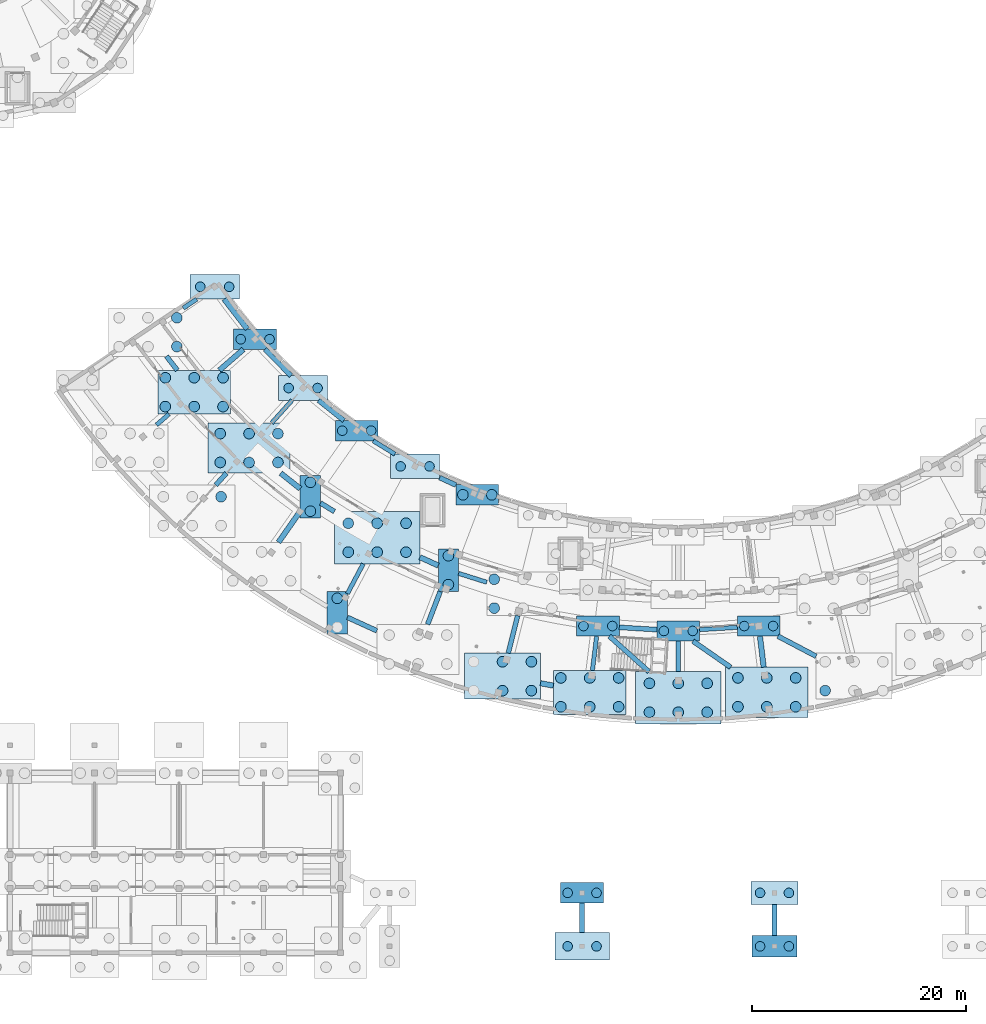
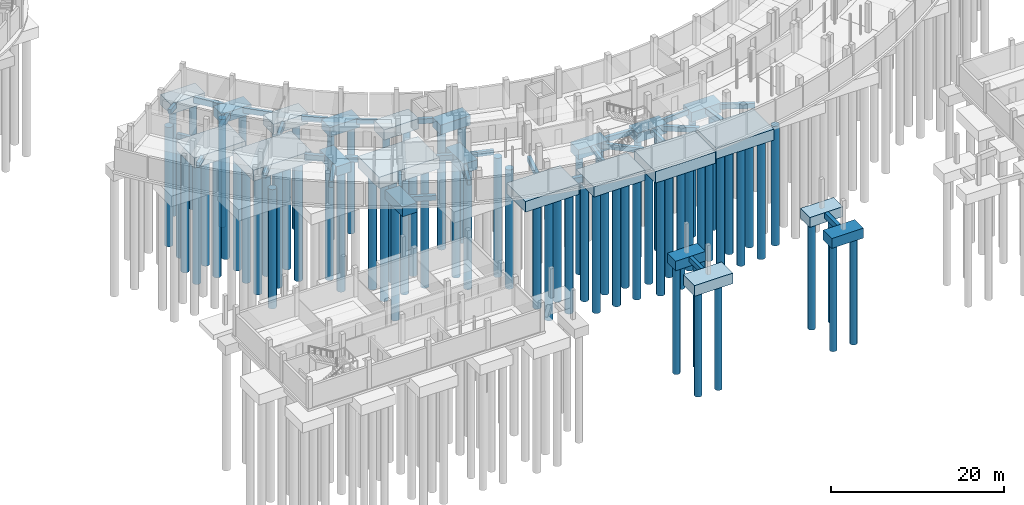
# One storey, part 2 of 58: 77 piles, 54 footings.
"""IFC4 building model written with IfcOpenShell, lengths in metres."""

from ifc_helpers import new_model, si_unit, direction, frame, origin, origin_2d, place, context, subcontext, project, spatial, rectangle, circle, extrude, material, material_profile, profile_set, type_object, element, save


model = new_model("IFC4")

# Units and contexts
model_context = context("Model", 3, precision=1e-05, world=origin(), true_north=direction((0.0, 1.0)))
body_context = subcontext(model_context, "Body", "Model", "MODEL_VIEW")
ifc_project = project(units=[si_unit("LENGTHUNIT", "METRE"), si_unit("AREAUNIT", "SQUARE_METRE"), si_unit("VOLUMEUNIT", "CUBIC_METRE"), si_unit("PLANEANGLEUNIT", "RADIAN"), si_unit("MASSUNIT", "GRAM", prefix="KILO")], contexts=[model_context])

# Site, building, storey
site_placement = place(None, origin())
site = spatial("IfcSite", under=ifc_project, at=site_placement, CompositionType="ELEMENT")
building_placement = place(site_placement, origin())
building = spatial("IfcBuilding", under=site, at=building_placement, Name="Caldaven Crescent School", CompositionType="ELEMENT")
storey_placement = place(building_placement, frame((0.0, 0.0, -4.080078125)))
storey = spatial("IfcBuildingStorey", under=building, at=storey_placement, Name="B1", CompositionType="ELEMENT", Elevation=-4.080078125)

# Footings
ifc_material_1 = material(Name="Concrete C30/37", Category="concrete")
ifc_material_profile_1 = material_profile(ifc_material_1, rectangle(XDim=0.449951171875, YDim=0.699951171875, at=origin_2d()), Name="FB 450x700")
ifc_profile_set_1 = profile_set([ifc_material_profile_1], Name="Concrete C30/37")
footing_type_1 = type_object("IfcFootingType", Name="FTG-FB1", PredefinedType="FOOTING_BEAM", material=ifc_profile_set_1)
footing_1_placement = place(storey_placement, frame((40.12939453125, 59.994873046875, -0.64990234375), z_axis=(0.610424801007, -0.792074215156, 0.0), x_axis=(0.792074215156, 0.610424801007, 0.0)))
element("IfcFooting", 1, at=footing_1_placement, inside=storey, type_object=footing_type_1, Name="FB-130", PredefinedType="FOOTING_BEAM", context=body_context, shape_type="SweptSolid", body=[
    extrude(rectangle(XDim=0.449951171875, YDim=0.699951171875, at=origin_2d()), origin(), (0.0, 0.0, 1.0), 1.65185546875),
])
footing_2_placement = place(storey_placement, frame((49.34912109375, 60.6396484375, -0.64990234375), z_axis=(0.700904911711, -0.713254726406, 0.0), x_axis=(0.713254726406, 0.700904911711, 0.0)))
element("IfcFooting", 2, at=footing_2_placement, inside=storey, type_object=footing_type_1, Name="FB-133", PredefinedType="FOOTING_BEAM", context=body_context, shape_type="SweptSolid", body=[
    extrude(rectangle(XDim=0.449951171875, YDim=0.699951171875, at=origin_2d()), origin(), (0.0, 0.0, 1.0), 3.45947265625),
])
footing_3_placement = place(storey_placement, frame((54.349853515625, 55.8720703125, -0.64990234375), z_axis=(0.782634056668, -0.622482074717, 0.0), x_axis=(0.622482074717, 0.782634056668, 0.0)))
element("IfcFooting", 3, at=footing_3_placement, inside=storey, type_object=footing_type_1, Name="FB-136", PredefinedType="FOOTING_BEAM", context=body_context, shape_type="SweptSolid", body=[
    extrude(rectangle(XDim=0.449951171875, YDim=0.699951171875, at=origin_2d()), origin(), (0.0, 0.0, 1.0), 3.030517578125),
])
footing_4_placement = place(storey_placement, frame((44.738525390625, 47.953369140625, -0.64990234375), z_axis=(0.669127571839, 0.74314755776, 0.0), x_axis=(-0.74314755776, 0.669127571839, 0.0)))
element("IfcFooting", 4, at=footing_4_placement, inside=storey, type_object=footing_type_1, Name="FB-139", PredefinedType="FOOTING_BEAM", context=body_context, shape_type="SweptSolid", body=[
    extrude(rectangle(XDim=0.449951171875, YDim=0.699951171875, at=origin_2d()), origin(), (0.0, 0.0, 1.0), 1.49072265625),
])
footing_5_placement = place(storey_placement, frame((54.535400390625, 46.268798828125, -0.64990234375), z_axis=(0.852631206635, -0.522513182103, 0.0), x_axis=(0.522513182103, 0.852631206635, 0.0)))
element("IfcFooting", 5, at=footing_5_placement, inside=storey, type_object=footing_type_1, Name="FB-142", PredefinedType="FOOTING_BEAM", context=body_context, shape_type="SweptSolid", body=[
    extrude(rectangle(XDim=0.449951171875, YDim=0.699951171875, at=origin_2d()), origin(), (0.0, 0.0, 1.0), 1.522705078125),
])
footing_6_placement = place(storey_placement, frame((65.67626953125, 48.641845703125, -0.64990234375), z_axis=(0.910012565426, -0.414580668589, 0.0), x_axis=(0.414580668589, 0.910012565426, 0.0)))
element("IfcFooting", 6, at=footing_6_placement, inside=storey, type_object=footing_type_1, Name="FB-145", PredefinedType="FOOTING_BEAM", context=body_context, shape_type="SweptSolid", body=[
    extrude(rectangle(XDim=0.449951171875, YDim=0.699951171875, at=origin_2d()), origin(), (0.0, 0.0, 1.0), 1.678955078125),
])
footing_7_placement = place(storey_placement, frame((57.04931640625, 35.571044921875, -0.64990234375), z_axis=(0.910045276169, -0.414508860366, 0.0), x_axis=(0.414508860366, 0.910045276169, 0.0)))
element("IfcFooting", 7, at=footing_7_placement, inside=storey, type_object=footing_type_1, Name="FB-148", PredefinedType="FOOTING_BEAM", context=body_context, shape_type="SweptSolid", body=[
    extrude(rectangle(XDim=0.449951171875, YDim=0.699951171875, at=origin_2d()), origin(), (0.0, 0.0, 1.0), 3.022216796875),
])
footing_8_placement = place(storey_placement, frame((64.551513671875, 34.914794921875, -0.64990234375), z_axis=(0.358382352238, 0.933574897694, 0.0), x_axis=(-0.933574897694, 0.358382352238, 0.0)))
element("IfcFooting", 8, at=footing_8_placement, inside=storey, type_object=footing_type_1, Name="FB-151", PredefinedType="FOOTING_BEAM", context=body_context, shape_type="SweptSolid", body=[
    extrude(rectangle(XDim=0.449951171875, YDim=0.699951171875, at=origin_2d()), origin(), (0.0, 0.0, 1.0), 3.290283203125),
])
footing_9_placement = place(storey_placement, frame((72.097412109375, 32.218505859375, -0.64990234375), z_axis=(0.241948682698, 0.970289047109, 0.0), x_axis=(-0.970289047109, 0.241948682698, 0.0)))
element("IfcFooting", 9, at=footing_9_placement, inside=storey, type_object=footing_type_1, Name="FB-154", PredefinedType="FOOTING_BEAM", context=body_context, shape_type="SweptSolid", body=[
    extrude(rectangle(XDim=0.449951171875, YDim=0.699951171875, at=origin_2d()), origin(), (0.0, 0.0, 1.0), 3.62158203125),
])
footing_10_placement = place(storey_placement, frame((82.480712890625, 34.6376953125, -0.64990234375), z_axis=(0.998133360085, -0.061072051585, 0.0), x_axis=(0.061072051585, 0.998133360085, 0.0)))
element("IfcFooting", 10, at=footing_10_placement, inside=storey, type_object=footing_type_1, Name="FB-160", PredefinedType="FOOTING_BEAM", context=body_context, shape_type="SweptSolid", body=[
    extrude(rectangle(XDim=0.449951171875, YDim=0.699951171875, at=origin_2d()), origin(), (0.0, 0.0, 1.0), 3.52587890625),
])
footing_11_placement = place(storey_placement, frame((85.25439453125, 30.5, -0.64990234375), z_axis=(-0.746115401684, 0.665816646961, 0.0), x_axis=(-0.665816646961, -0.746115401684, 0.0)))
element("IfcFooting", 11, at=footing_11_placement, inside=storey, type_object=footing_type_1, Name="FB-163", PredefinedType="FOOTING_BEAM", context=body_context, shape_type="SweptSolid", body=[
    extrude(rectangle(XDim=0.449951171875, YDim=0.699951171875, at=origin_2d()), origin(), (0.0, 0.0, 1.0), 4.970947265625),
])
footing_12_placement = place(storey_placement, frame((92.892822265625, 30.906494140625, -0.64990234375), z_axis=(-0.821704026018, 0.569914461674, 0.0), x_axis=(-0.569914461674, -0.821704026018, 0.0)))
element("IfcFooting", 12, at=footing_12_placement, inside=storey, type_object=footing_type_1, Name="FB-169", PredefinedType="FOOTING_BEAM", context=body_context, shape_type="SweptSolid", body=[
    extrude(rectangle(XDim=0.449951171875, YDim=0.699951171875, at=origin_2d()), origin(), (0.0, 0.0, 1.0), 4.28759765625),
])
footing_13_placement = place(storey_placement, frame((100.888671875, 31.935791015625, -0.64990234375), z_axis=(-0.885057617913, 0.465481485104, 0.0), x_axis=(-0.465481485104, -0.885057617913, 0.0)))
element("IfcFooting", 13, at=footing_13_placement, inside=storey, type_object=footing_type_1, Name="FB-175", PredefinedType="FOOTING_BEAM", context=body_context, shape_type="SweptSolid", body=[
    extrude(rectangle(XDim=0.449951171875, YDim=0.699951171875, at=origin_2d()), origin(), (0.0, 0.0, 1.0), 4.02587890625),
])
footing_14_placement = place(storey_placement, frame((79.0, 6.10009765625, -0.64990234375), z_axis=(0.0, 1.0, 0.0), x_axis=(-1.0, 0.0, 0.0)))
element("IfcFooting", 14, at=footing_14_placement, inside=storey, type_object=footing_type_1, Name="FB-199", PredefinedType="FOOTING_BEAM", context=body_context, shape_type="SweptSolid", body=[
    extrude(rectangle(XDim=0.449951171875, YDim=0.699951171875, at=origin_2d()), origin(), (0.0, 0.0, 1.0), 2.75),
])
ifc_material_profile_2 = material_profile(ifc_material_1, rectangle(XDim=0.5, YDim=0.800048828125, at=origin_2d()), Name="FB 500x800")
ifc_profile_set_2 = profile_set([ifc_material_profile_2], Name="Concrete C30/37")
footing_type_2 = type_object("IfcFootingType", Name="FTG-FB2", PredefinedType="FOOTING_BEAM", material=ifc_profile_set_2)
footing_15_placement = place(storey_placement, frame((45.523681640625, 65.34228515625, -0.699951171875), z_axis=(0.610404152733, -0.792090127654, 0.0), x_axis=(0.792090127654, 0.610404152733, 0.0)))
element("IfcFooting", 15, at=footing_15_placement, inside=storey, type_object=footing_type_2, Name="FB-128", PredefinedType="FOOTING_BEAM", context=body_context, shape_type="SweptSolid", body=[
    extrude(rectangle(XDim=0.5, YDim=0.800048828125, at=origin_2d()), origin(), (0.0, 0.0, 1.0), 3.5380859375),
])
footing_16_placement = place(storey_placement, frame((45.07568359375, 58.6865234375, -0.699951171875), z_axis=(0.75471144186, 0.656056887415, 0.0), x_axis=(-0.656056887415, 0.75471144186, 0.0)))
element("IfcFooting", 16, at=footing_16_placement, inside=storey, type_object=footing_type_2, Name="FB-134", PredefinedType="FOOTING_BEAM", context=body_context, shape_type="SweptSolid", body=[
    extrude(rectangle(XDim=0.5, YDim=0.800048828125, at=origin_2d()), origin(), (0.0, 0.0, 1.0), 2.97705078125),
])
footing_17_placement = place(storey_placement, frame((50.806640625, 49.061279296875, -0.699951171875), z_axis=(0.782639227727, -0.622475573194, 0.0), x_axis=(0.622475573194, 0.782639227727, 0.0)))
element("IfcFooting", 17, at=footing_17_placement, inside=storey, type_object=footing_type_2, Name="FB-137", PredefinedType="FOOTING_BEAM", context=body_context, shape_type="SweptSolid", body=[
    extrude(rectangle(XDim=0.5, YDim=0.800048828125, at=origin_2d()), origin(), (0.0, 0.0, 1.0), 2.336669921875),
])
footing_18_placement = place(storey_placement, frame((50.600830078125, 42.588623046875, -0.699951171875), z_axis=(0.573614772878, 0.819125199427, 0.0), x_axis=(-0.819125199427, 0.573614772878, 0.0)))
element("IfcFooting", 18, at=footing_18_placement, inside=storey, type_object=footing_type_2, Name="FB-143", PredefinedType="FOOTING_BEAM", context=body_context, shape_type="SweptSolid", body=[
    extrude(rectangle(XDim=0.5, YDim=0.800048828125, at=origin_2d()), origin(), (0.0, 0.0, 1.0), 3.547119140625),
])
footing_19_placement = place(storey_placement, frame((63.831787109375, 41.201171875, -0.699951171875), z_axis=(0.910020422762, -0.41456342115, 0.0), x_axis=(0.41456342115, 0.910020422762, 0.0)))
element("IfcFooting", 19, at=footing_19_placement, inside=storey, type_object=footing_type_2, Name="FB-146", PredefinedType="FOOTING_BEAM", context=body_context, shape_type="SweptSolid", body=[
    extrude(rectangle(XDim=0.5, YDim=0.800048828125, at=origin_2d()), origin(), (0.0, 0.0, 1.0), 1.88623046875),
])
footing_20_placement = place(storey_placement, frame((75.111328125, 29.410400390625, -0.699951171875), z_axis=(0.983250357751, -0.182260072379, 0.0), x_axis=(0.182260072379, 0.983250357751, 0.0)))
element("IfcFooting", 20, at=footing_20_placement, inside=storey, type_object=footing_type_2, Name="FB-155", PredefinedType="FOOTING_BEAM", context=body_context, shape_type="SweptSolid", body=[
    extrude(rectangle(XDim=0.5, YDim=0.800048828125, at=origin_2d()), origin(), (0.0, 0.0, 1.0), 1.228271484375),
])
for number, where, z_axis, x_axis, name in (
    (21, (95.635986328125, 33.809814453125, -0.699951171875), (0.121856681063, -0.992547706299, 0.0), (0.992547706299, 0.121856681063, 0.0), "FB-167"),
    (22, (97.0, 5.800048828125, -0.699951171875), (0.0, 1.0, 0.0), (-1.0, 0.0, 0.0), "FB-200"),
):
    element("IfcFooting", number, at=place(storey_placement, frame(where, z_axis=z_axis, x_axis=x_axis)), inside=storey, type_object=footing_type_2, Name=name, PredefinedType="FOOTING_BEAM", context=body_context, shape_type="SweptSolid", body=[
        extrude(rectangle(XDim=0.5, YDim=0.800048828125, at=origin_2d()), origin(), (0.0, 0.0, 1.0), 2.925048828125),
    ])
ifc_material_profile_3 = material_profile(ifc_material_1, rectangle(XDim=0.39990234375, YDim=0.64990234375, at=origin_2d()), Name="FB 400x650")
ifc_profile_set_3 = profile_set([ifc_material_profile_3], Name="Concrete C30/37")
footing_type_3 = type_object("IfcFootingType", Name="FTG-FB3", PredefinedType="FOOTING_BEAM", material=ifc_profile_set_3)
footing_21_placement = place(storey_placement, frame((42.947509765625, 65.34228515625, -0.625), z_axis=(-0.826802902119, -0.562491743092, 0.0), x_axis=(0.562491743092, -0.826802902119, 0.0)))
element("IfcFooting", 23, at=footing_21_placement, inside=storey, type_object=footing_type_3, Name="FB-129", PredefinedType="FOOTING_BEAM", context=body_context, shape_type="SweptSolid", body=[
    extrude(rectangle(XDim=0.39990234375, YDim=0.64990234375, at=origin_2d()), origin(), (0.0, 0.0, 1.0), 1.506591796875),
])
footing_22_placement = place(storey_placement, frame((39.19091796875, 53.57080078125, -0.625), z_axis=(0.754673426193, 0.656100617129, 0.0), x_axis=(-0.656100617129, 0.754673426193, 0.0)))
element("IfcFooting", 24, at=footing_22_placement, inside=storey, type_object=footing_type_3, Name="FB-135", PredefinedType="FOOTING_BEAM", context=body_context, shape_type="SweptSolid", body=[
    extrude(rectangle(XDim=0.39990234375, YDim=0.64990234375, at=origin_2d()), origin(), (0.0, 0.0, 1.0), 1.5478515625),
])
footing_23_placement = place(storey_placement, frame((49.968017578125, 53.76123046875, -0.625), z_axis=(0.669135668017, 0.743140267909, 0.0), x_axis=(-0.743140267909, 0.669135668017, 0.0)))
element("IfcFooting", 25, at=footing_23_placement, inside=storey, type_object=footing_type_3, Name="FB-138", PredefinedType="FOOTING_BEAM", context=body_context, shape_type="SweptSolid", body=[
    extrude(rectangle(XDim=0.39990234375, YDim=0.64990234375, at=origin_2d()), origin(), (0.0, 0.0, 1.0), 2.84033203125),
])
footing_24_placement = place(storey_placement, frame((59.466064453125, 52.08544921875, -0.625), z_axis=(0.852640974521, -0.522497242641, 0.0), x_axis=(0.522497242641, 0.852640974521, 0.0)))
element("IfcFooting", 26, at=footing_24_placement, inside=storey, type_object=footing_type_3, Name="FB-141", PredefinedType="FOOTING_BEAM", context=body_context, shape_type="SweptSolid", body=[
    extrude(rectangle(XDim=0.39990234375, YDim=0.64990234375, at=origin_2d()), origin(), (0.0, 0.0, 1.0), 2.384765625),
])
footing_25_placement = place(storey_placement, frame((57.04931640625, 37.790283203125, -0.625), z_axis=(0.469506341058, 0.882929100045, 0.0), x_axis=(-0.882929100045, 0.469506341058, 0.0)))
element("IfcFooting", 27, at=footing_25_placement, inside=storey, type_object=footing_type_3, Name="FB-147", PredefinedType="FOOTING_BEAM", context=body_context, shape_type="SweptSolid", body=[
    extrude(rectangle(XDim=0.39990234375, YDim=0.64990234375, at=origin_2d()), origin(), (0.0, 0.0, 1.0), 3.151611328125),
])
footing_26_placement = place(storey_placement, frame((67.448486328125, 39.686767578125, -0.625), z_axis=(0.953656049612, -0.300898885074, 0.0), x_axis=(0.300898885074, 0.953656049612, 0.0)))
element("IfcFooting", 28, at=footing_26_placement, inside=storey, type_object=footing_type_3, Name="FB-150", PredefinedType="FOOTING_BEAM", context=body_context, shape_type="SweptSolid", body=[
    extrude(rectangle(XDim=0.39990234375, YDim=0.64990234375, at=origin_2d()), origin(), (0.0, 0.0, 1.0), 2.764404296875),
])
footing_27_placement = place(storey_placement, frame((80.364013671875, 33.809814453125, -0.625), z_axis=(-0.1218651535, -0.992546666088, 0.0), x_axis=(0.992546666088, -0.1218651535, 0.0)))
element("IfcFooting", 29, at=footing_27_placement, inside=storey, type_object=footing_type_3, Name="FB-159", PredefinedType="FOOTING_BEAM", context=body_context, shape_type="SweptSolid", body=[
    extrude(rectangle(XDim=0.39990234375, YDim=0.64990234375, at=origin_2d()), origin(), (0.0, 0.0, 1.0), 3.2275390625),
])
footing_28_placement = place(storey_placement, frame((88.0, 33.35009765625, -0.625), z_axis=(0.0, -1.0, 0.0), x_axis=(1.0, 0.0, 0.0)))
element("IfcFooting", 30, at=footing_28_placement, inside=storey, type_object=footing_type_3, Name="FB-162", PredefinedType="FOOTING_BEAM", context=body_context, shape_type="SweptSolid", body=[
    extrude(rectangle(XDim=0.39990234375, YDim=0.64990234375, at=origin_2d()), origin(), (0.0, 0.0, 1.0), 2.85009765625),
])
footing_29_placement = place(storey_placement, frame((93.519287109375, 34.6376953125, -0.625), z_axis=(-0.998133360085, -0.061072051585, 0.0), x_axis=(0.061072051585, -0.998133360085, 0.0)))
element("IfcFooting", 31, at=footing_29_placement, inside=storey, type_object=footing_type_3, Name="FB-168", PredefinedType="FOOTING_BEAM", context=body_context, shape_type="SweptSolid", body=[
    extrude(rectangle(XDim=0.39990234375, YDim=0.64990234375, at=origin_2d()), origin(), (0.0, 0.0, 1.0), 3.52587890625),
])
ifc_material_2 = material(Name="Concrete C35/45", Category="concrete")
footing_type_4 = type_object("IfcFootingType", Name="FTG-PC01", PredefinedType="PILE_CAP", material=ifc_material_2)
for number, where, z_axis, x_axis, name in (
    (32, (48.41552734375, 61.589599609375, -1.64990234375), (0.0, 0.0, 1.0), (1.0, 0.0, 0.0), "PC-115"),
    (33, (57.916015625, 53.035400390625, -1.64990234375), (0.0, 0.0, 1.0), (1.0, 0.0, 0.0), "PC-121"),
    (34, (53.58544921875, 46.850830078125, -1.64990234375), (0.0, 0.0, 1.0), (0.0, 1.0, 0.0), "PC-122"),
    (35, (56.099365234375, 36.003662109375, -1.64990234375), (0.0, 0.0, 1.0), (0.0, 1.0, 0.0), "PC-126"),
    (36, (69.2041015625, 47.034912109375, -1.64990234375), (0.0, 0.0, 1.0), (1.0, 0.0, 0.0), "PC-127"),
    (37, (66.498291015625, 39.986572265625, -1.64990234375), (0.0, 0.0, 1.0), (0.0, 1.0, 0.0), "PC-128"),
    (38, (80.480712890625, 34.760009765625, -1.64990234375), (0.0, 0.0, 1.0), (1.0, 0.0, 0.0), "PC-135"),
    (39, (88.0, 34.300048828125, -1.64990234375), (0.0, 0.0, 1.0), (1.0, 0.0, 0.0), "PC-139"),
    (40, (95.519287109375, 34.760009765625, -1.64990234375), (0.0, 0.0, 1.0), (1.0, 0.0, 0.0), "PC-143"),
    (41, (79.0, 9.800048828125, -1.64990234375), (0.0, 0.0, 1.0), (1.0, 0.0, 0.0), "PC-169"),
):
    element("IfcFooting", number, at=place(storey_placement, frame(where, z_axis=z_axis, x_axis=x_axis)), inside=storey, type_object=footing_type_4, Name=name, PredefinedType="PILE_CAP", context=body_context, shape_type="SweptSolid", body=[
        extrude(rectangle(XDim=4.0, YDim=1.89990234375, at=origin_2d()), origin(), (0.0, 0.0, 1.0), 1.35009765625),
    ])
footing_type_5 = type_object("IfcFootingType", Name="FTG-PC02", PredefinedType="PILE_CAP", material=ifc_material_2)
footing_30_placement = place(storey_placement, frame((97.0, 4.800048828125, -1.699951171875), z_axis=(0.0, 0.0, 1.0), x_axis=(1.0, 0.0, 0.0)))
element("IfcFooting", 42, at=footing_30_placement, inside=storey, type_object=footing_type_5, Name="PC-170", PredefinedType="PILE_CAP", context=body_context, shape_type="SweptSolid", body=[
    extrude(rectangle(XDim=4.199951171875, YDim=2.0, at=origin_2d()), origin(), (0.0, 0.0, 1.0), 1.39990234375),
])
footing_type_6 = type_object("IfcFootingType", Name="FTG-PC03", PredefinedType="PILE_CAP", material=ifc_material_2)
footing_31_placement = place(storey_placement, frame((97.0, 9.800048828125, -1.699951171875), z_axis=(0.0, 0.0, 1.0), x_axis=(1.0, 0.0, 0.0)))
element("IfcFooting", 43, at=footing_31_placement, inside=storey, type_object=footing_type_6, Name="PC-171", PredefinedType="PILE_CAP", context=body_context, shape_type="SweptSolid", body=[
    extrude(rectangle(XDim=4.39990234375, YDim=2.14990234375, at=origin_2d()), origin(), (0.0, 0.0, 1.0), 1.39990234375),
])
footing_type_7 = type_object("IfcFootingType", Name="FTG-PC04", PredefinedType="PILE_CAP", material=ifc_material_2)
for number, where, z_axis, x_axis, name in (
    (44, (44.637451171875, 66.492431640625, -1.75), (0.0, 0.0, 1.0), (1.0, 0.0, 0.0), "PC-112"),
    (45, (52.904052734375, 57.022216796875, -1.75), (0.0, 0.0, 1.0), (1.0, 0.0, 0.0), "PC-118"),
    (46, (63.376220703125, 49.689453125, -1.75), (0.0, 0.0, 1.0), (1.0, 0.0, 0.0), "PC-124"),
):
    element("IfcFooting", number, at=place(storey_placement, frame(where, z_axis=z_axis, x_axis=x_axis)), inside=storey, type_object=footing_type_7, Name=name, PredefinedType="PILE_CAP", context=body_context, shape_type="SweptSolid", body=[
        extrude(rectangle(XDim=4.60009765625, YDim=2.300048828125, at=origin_2d()), origin(), (0.0, 0.0, 1.0), 1.449951171875),
    ])
footing_type_8 = type_object("IfcFootingType", Name="FTG-PC06", PredefinedType="PILE_CAP", material=ifc_material_2)
footing_32_placement = place(storey_placement, frame((79.0, 4.800048828125, -1.7998046875), z_axis=(0.0, 0.0, 1.0), x_axis=(1.0, 0.0, 0.0)))
element("IfcFooting", 47, at=footing_32_placement, inside=storey, type_object=footing_type_8, Name="PC-168", PredefinedType="PILE_CAP", context=body_context, shape_type="SweptSolid", body=[
    extrude(rectangle(XDim=5.10009765625, YDim=2.60009765625, at=origin_2d()), origin(), (0.0, 0.0, 1.0), 1.5),
])
footing_type_9 = type_object("IfcFootingType", Name="FTG-PC12", PredefinedType="PILE_CAP", material=ifc_material_2)
for number, where, z_axis, x_axis, name in (
    (48, (42.71728515625, 56.636474609375, -1.75), (0.0, 0.0, 1.0), (1.0, 0.0, 0.0), "PC-116"),
    (49, (79.718994140625, 28.556396484375, -1.75), (0.0, 0.0, 1.0), (1.0, 0.0, 0.0), "PC-136"),
):
    element("IfcFooting", number, at=place(storey_placement, frame(where, z_axis=z_axis, x_axis=x_axis)), inside=storey, type_object=footing_type_9, Name=name, PredefinedType="PILE_CAP", context=body_context, shape_type="SweptSolid", body=[
        extrude(rectangle(XDim=6.800048828125, YDim=4.10009765625, at=origin_2d()), origin(), (0.0, 0.0, 1.0), 1.449951171875),
    ])
footing_type_10 = type_object("IfcFootingType", Name="FTG-PC13", PredefinedType="PILE_CAP", material=ifc_material_2)
footing_33_placement = place(storey_placement, frame((71.561279296875, 30.068359375, -1.7998046875), z_axis=(0.0, 0.0, 1.0), x_axis=(1.0, 0.0, 0.0)))
element("IfcFooting", 50, at=footing_33_placement, inside=storey, type_object=footing_type_10, Name="PC-132", PredefinedType="PILE_CAP", context=body_context, shape_type="SweptSolid", body=[
    extrude(rectangle(XDim=7.10009765625, YDim=4.300048828125, at=origin_2d()), origin(), (0.0, 0.0, 1.0), 1.5),
])
footing_type_11 = type_object("IfcFootingType", Name="FTG-PC15", PredefinedType="PILE_CAP", material=ifc_material_2)
for number, where, z_axis, x_axis, name in (
    (51, (47.852294921875, 51.411376953125, -1.85009765625), (0.0, 0.0, 1.0), (1.0, 0.0, 0.0), "PC-119"),
    (52, (96.281005859375, 28.556396484375, -1.85009765625), (0.0, 0.0, 1.0), (1.0, 0.0, 0.0), "PC-144"),
):
    element("IfcFooting", number, at=place(storey_placement, frame(where, z_axis=z_axis, x_axis=x_axis)), inside=storey, type_object=footing_type_11, Name=name, PredefinedType="PILE_CAP", context=body_context, shape_type="SweptSolid", body=[
        extrude(rectangle(XDim=7.699951171875, YDim=4.699951171875, at=origin_2d()), origin(), (0.0, 0.0, 1.0), 1.550048828125),
    ])
footing_type_12 = type_object("IfcFootingType", Name="FTG-PC16", PredefinedType="PILE_CAP", material=ifc_material_2)
for number, where, z_axis, x_axis, name in (
    (53, (59.831787109375, 43.023193359375, -1.89990234375), (0.0, 0.0, 1.0), (1.0, 0.0, 0.0), "PC-125"),
    (54, (88.0, 28.050048828125, -1.89990234375), (0.0, 0.0, 1.0), (1.0, 0.0, 0.0), "PC-140"),
):
    element("IfcFooting", number, at=place(storey_placement, frame(where, z_axis=z_axis, x_axis=x_axis)), inside=storey, type_object=footing_type_12, Name=name, PredefinedType="PILE_CAP", context=body_context, shape_type="SweptSolid", body=[
        extrude(rectangle(XDim=8.0, YDim=4.89990234375, at=origin_2d()), origin(), (0.0, 0.0, 1.0), 1.60009765625),
    ])

# Piles
ifc_material_profile_4 = material_profile(ifc_material_2, circle(Radius=0.5, at=origin_2d()), Name="PILE D1000")
ifc_profile_set_4 = profile_set([ifc_material_profile_4], Name="Concrete C35/45")
pile_type_1 = type_object("IfcPileType", Name="PIL-D1000", PredefinedType="BORED", material=ifc_profile_set_4)
for number, where, z_axis, x_axis, name in (
    (55, (41.095703125, 60.894775390625, -1.75), (0.0, 0.0, -1.0), (1.0, 0.0, 0.0), "PILE-113-3"),
    (56, (41.095703125, 63.5947265625, -1.75), (0.0, 0.0, -1.0), (1.0, 0.0, 0.0), "PILE-113-6"),
    (57, (40.017333984375, 55.28662109375, -1.64990234375), (0.0, 0.0, -1.0), (1.0, 0.0, 0.0), "PILE-116-1"),
    (58, (42.71728515625, 55.28662109375, -1.64990234375), (0.0, 0.0, -1.0), (1.0, 0.0, 0.0), "PILE-116-2"),
    (59, (45.41748046875, 55.28662109375, -1.64990234375), (0.0, 0.0, -1.0), (1.0, 0.0, 0.0), "PILE-116-3"),
    (60, (40.017333984375, 57.986572265625, -1.64990234375), (0.0, 0.0, -1.0), (1.0, 0.0, 0.0), "PILE-116-4"),
    (61, (42.71728515625, 57.986572265625, -1.64990234375), (0.0, 0.0, -1.0), (1.0, 0.0, 0.0), "PILE-116-5"),
    (62, (45.41748046875, 57.986572265625, -1.64990234375), (0.0, 0.0, -1.0), (1.0, 0.0, 0.0), "PILE-116-6"),
    (63, (45.152099609375, 50.061279296875, -1.75), (0.0, 0.0, -1.0), (1.0, 0.0, 0.0), "PILE-119-1"),
    (64, (47.852294921875, 50.061279296875, -1.75), (0.0, 0.0, -1.0), (1.0, 0.0, 0.0), "PILE-119-2"),
    (65, (50.55224609375, 50.061279296875, -1.75), (0.0, 0.0, -1.0), (1.0, 0.0, 0.0), "PILE-119-3"),
    (66, (45.152099609375, 52.76123046875, -1.75), (0.0, 0.0, -1.0), (1.0, 0.0, 0.0), "PILE-119-4"),
    (67, (47.852294921875, 52.76123046875, -1.75), (0.0, 0.0, -1.0), (1.0, 0.0, 0.0), "PILE-119-5"),
    (68, (50.55224609375, 52.76123046875, -1.75), (0.0, 0.0, -1.0), (1.0, 0.0, 0.0), "PILE-119-6"),
    (69, (45.232666015625, 46.853271484375, -1.7998046875), (0.0, 0.0, -1.0), (1.0, 0.0, 0.0), "PILE-120-6"),
    (70, (53.58544921875, 45.5009765625, -1.5498046875), (0.0, 0.0, -1.0), (1.0, 0.0, 0.0), "PILE-122-1"),
    (71, (53.58544921875, 48.200927734375, -1.5498046875), (0.0, 0.0, -1.0), (1.0, 0.0, 0.0), "PILE-122-2"),
    (72, (57.131591796875, 41.673095703125, -1.7998046875), (0.0, 0.0, -1.0), (1.0, 0.0, 0.0), "PILE-125-1"),
    (73, (59.831787109375, 41.673095703125, -1.7998046875), (0.0, 0.0, -1.0), (1.0, 0.0, 0.0), "PILE-125-2"),
    (74, (62.53173828125, 41.673095703125, -1.7998046875), (0.0, 0.0, -1.0), (1.0, 0.0, 0.0), "PILE-125-3"),
    (75, (57.131591796875, 44.373046875, -1.7998046875), (0.0, 0.0, -1.0), (1.0, 0.0, 0.0), "PILE-125-4"),
    (76, (59.831787109375, 44.373046875, -1.7998046875), (0.0, 0.0, -1.0), (1.0, 0.0, 0.0), "PILE-125-5"),
    (77, (62.53173828125, 44.373046875, -1.7998046875), (0.0, 0.0, -1.0), (1.0, 0.0, 0.0), "PILE-125-6"),
    (78, (56.099365234375, 37.353759765625, -1.5498046875), (0.0, 0.0, -1.0), (1.0, 0.0, 0.0), "PILE-126-2"),
    (79, (67.85400390625, 47.034912109375, -1.5498046875), (0.0, 0.0, -1.0), (1.0, 0.0, 0.0), "PILE-127-1"),
    (80, (70.553955078125, 47.034912109375, -1.5498046875), (0.0, 0.0, -1.0), (1.0, 0.0, 0.0), "PILE-127-2"),
    (81, (66.498291015625, 38.636474609375, -1.5498046875), (0.0, 0.0, -1.0), (1.0, 0.0, 0.0), "PILE-128-1"),
    (82, (66.498291015625, 41.33642578125, -1.5498046875), (0.0, 0.0, -1.0), (1.0, 0.0, 0.0), "PILE-128-2"),
    (83, (70.78466796875, 36.432373046875, -1.64990234375), (0.0, 0.0, -1.0), (1.0, 0.0, 0.0), "PILE-131-1"),
    (84, (70.78466796875, 39.13232421875, -1.64990234375), (0.0, 0.0, -1.0), (1.0, 0.0, 0.0), "PILE-131-4"),
    (85, (71.561279296875, 28.718505859375, -1.699951171875), (0.0, 0.0, -1.0), (1.0, 0.0, 0.0), "PILE-132-2"),
    (86, (74.261474609375, 28.718505859375, -1.699951171875), (0.0, 0.0, -1.0), (1.0, 0.0, 0.0), "PILE-132-3"),
    (87, (71.561279296875, 31.41845703125, -1.699951171875), (0.0, 0.0, -1.0), (1.0, 0.0, 0.0), "PILE-132-5"),
    (88, (74.261474609375, 31.41845703125, -1.699951171875), (0.0, 0.0, -1.0), (1.0, 0.0, 0.0), "PILE-132-6"),
    (89, (77.01904296875, 27.20654296875, -1.64990234375), (0.0, 0.0, -1.0), (1.0, 0.0, 0.0), "PILE-136-1"),
    (90, (79.718994140625, 27.20654296875, -1.64990234375), (0.0, 0.0, -1.0), (1.0, 0.0, 0.0), "PILE-136-2"),
    (91, (82.4189453125, 27.20654296875, -1.64990234375), (0.0, 0.0, -1.0), (1.0, 0.0, 0.0), "PILE-136-3"),
    (92, (77.01904296875, 29.906494140625, -1.64990234375), (0.0, 0.0, -1.0), (1.0, 0.0, 0.0), "PILE-136-4"),
    (93, (79.718994140625, 29.906494140625, -1.64990234375), (0.0, 0.0, -1.0), (1.0, 0.0, 0.0), "PILE-136-5"),
    (94, (82.4189453125, 29.906494140625, -1.64990234375), (0.0, 0.0, -1.0), (1.0, 0.0, 0.0), "PILE-136-6"),
    (95, (85.300048828125, 26.699951171875, -1.7998046875), (0.0, 0.0, -1.0), (1.0, 0.0, 0.0), "PILE-140-1"),
    (96, (88.0, 26.699951171875, -1.7998046875), (0.0, 0.0, -1.0), (1.0, 0.0, 0.0), "PILE-140-2"),
    (97, (90.699951171875, 26.699951171875, -1.7998046875), (0.0, 0.0, -1.0), (1.0, 0.0, 0.0), "PILE-140-3"),
    (98, (85.300048828125, 29.39990234375, -1.7998046875), (0.0, 0.0, -1.0), (1.0, 0.0, 0.0), "PILE-140-4"),
    (99, (88.0, 29.39990234375, -1.7998046875), (0.0, 0.0, -1.0), (1.0, 0.0, 0.0), "PILE-140-5"),
    (100, (90.699951171875, 29.39990234375, -1.7998046875), (0.0, 0.0, -1.0), (1.0, 0.0, 0.0), "PILE-140-6"),
    (101, (93.5810546875, 27.20654296875, -1.75), (0.0, 0.0, -1.0), (1.0, 0.0, 0.0), "PILE-144-1"),
    (102, (96.281005859375, 27.20654296875, -1.75), (0.0, 0.0, -1.0), (1.0, 0.0, 0.0), "PILE-144-2"),
    (103, (98.98095703125, 27.20654296875, -1.75), (0.0, 0.0, -1.0), (1.0, 0.0, 0.0), "PILE-144-3"),
    (104, (93.5810546875, 29.906494140625, -1.75), (0.0, 0.0, -1.0), (1.0, 0.0, 0.0), "PILE-144-4"),
    (105, (96.281005859375, 29.906494140625, -1.75), (0.0, 0.0, -1.0), (1.0, 0.0, 0.0), "PILE-144-5"),
    (106, (98.98095703125, 29.906494140625, -1.75), (0.0, 0.0, -1.0), (1.0, 0.0, 0.0), "PILE-144-6"),
    (107, (101.738525390625, 28.718505859375, -1.699951171875), (0.0, 0.0, -1.0), (1.0, 0.0, 0.0), "PILE-147-1"),
):
    element("IfcPile", number, at=place(storey_placement, frame(where, z_axis=z_axis, x_axis=x_axis)), inside=storey, type_object=pile_type_1, Name=name, PredefinedType="BORED", context=body_context, shape_type="SweptSolid", body=[
        extrude(circle(Radius=0.5, at=origin_2d()), origin(), (0.0, 0.0, 1.0), 16.800048828125),
    ])
ifc_material_profile_5 = material_profile(ifc_material_2, circle(Radius=0.449951171875, at=origin_2d()), Name="PILE D900")
ifc_profile_set_5 = profile_set([ifc_material_profile_5], Name="Concrete C35/45")
pile_type_2 = type_object("IfcPileType", Name="PIL-D900", PredefinedType="BORED", material=ifc_profile_set_5)
for number, where, z_axis, x_axis, name in (
    (108, (43.28759765625, 66.492431640625, -1.64990234375), (0.0, 0.0, -1.0), (1.0, 0.0, 0.0), "PILE-112-1"),
    (109, (45.987548828125, 66.492431640625, -1.64990234375), (0.0, 0.0, -1.0), (1.0, 0.0, 0.0), "PILE-112-2"),
    (110, (47.0654296875, 61.589599609375, -1.5498046875), (0.0, 0.0, -1.0), (1.0, 0.0, 0.0), "PILE-115-1"),
    (111, (49.765380859375, 61.589599609375, -1.5498046875), (0.0, 0.0, -1.0), (1.0, 0.0, 0.0), "PILE-115-2"),
    (112, (51.55419921875, 57.022216796875, -1.64990234375), (0.0, 0.0, -1.0), (1.0, 0.0, 0.0), "PILE-118-1"),
    (113, (54.254150390625, 57.022216796875, -1.64990234375), (0.0, 0.0, -1.0), (1.0, 0.0, 0.0), "PILE-118-2"),
    (114, (56.56591796875, 53.035400390625, -1.5498046875), (0.0, 0.0, -1.0), (1.0, 0.0, 0.0), "PILE-121-1"),
    (115, (59.265869140625, 53.035400390625, -1.5498046875), (0.0, 0.0, -1.0), (1.0, 0.0, 0.0), "PILE-121-2"),
    (116, (62.026123046875, 49.689453125, -1.64990234375), (0.0, 0.0, -1.0), (1.0, 0.0, 0.0), "PILE-124-1"),
    (117, (64.726318359375, 49.689453125, -1.64990234375), (0.0, 0.0, -1.0), (1.0, 0.0, 0.0), "PILE-124-2"),
):
    element("IfcPile", number, at=place(storey_placement, frame(where, z_axis=z_axis, x_axis=x_axis)), inside=storey, type_object=pile_type_2, Name=name, PredefinedType="BORED", context=body_context, shape_type="SweptSolid", body=[
        extrude(circle(Radius=0.449951171875, at=origin_2d()), origin(), (0.0, 0.0, 1.0), 15.199951171875),
    ])
for number, where, z_axis, x_axis, name in (
    (118, (79.130615234375, 34.760009765625, -1.5498046875), (0.0, 0.0, -1.0), (1.0, 0.0, 0.0), "PILE-135-1"),
    (119, (81.830810546875, 34.760009765625, -1.5498046875), (0.0, 0.0, -1.0), (1.0, 0.0, 0.0), "PILE-135-2"),
    (120, (86.64990234375, 34.300048828125, -1.5498046875), (0.0, 0.0, -1.0), (1.0, 0.0, 0.0), "PILE-139-1"),
    (121, (89.35009765625, 34.300048828125, -1.5498046875), (0.0, 0.0, -1.0), (1.0, 0.0, 0.0), "PILE-139-2"),
    (122, (94.169189453125, 34.760009765625, -1.5498046875), (0.0, 0.0, -1.0), (1.0, 0.0, 0.0), "PILE-143-1"),
    (123, (96.869384765625, 34.760009765625, -1.5498046875), (0.0, 0.0, -1.0), (1.0, 0.0, 0.0), "PILE-143-2"),
):
    element("IfcPile", number, at=place(storey_placement, frame(where, z_axis=z_axis, x_axis=x_axis)), inside=storey, type_object=pile_type_2, Name=name, PredefinedType="BORED", context=body_context, shape_type="SweptSolid", body=[
        extrude(circle(Radius=0.449951171875, at=origin_2d()), origin(), (0.0, 0.0, 1.0), 16.800048828125),
    ])
for number, where, z_axis, x_axis, name in (
    (124, (77.64990234375, 4.800048828125, -1.699951171875), (0.0, 0.0, -1.0), (1.0, 0.0, 0.0), "PILE-168-1"),
    (125, (80.35009765625, 4.800048828125, -1.699951171875), (0.0, 0.0, -1.0), (1.0, 0.0, 0.0), "PILE-168-2"),
    (126, (77.64990234375, 9.800048828125, -1.5498046875), (0.0, 0.0, -1.0), (1.0, 0.0, 0.0), "PILE-169-1"),
    (127, (80.35009765625, 9.800048828125, -1.5498046875), (0.0, 0.0, -1.0), (1.0, 0.0, 0.0), "PILE-169-2"),
    (128, (95.64990234375, 4.800048828125, -1.599853515625), (0.0, 0.0, -1.0), (1.0, 0.0, 0.0), "PILE-170-1"),
    (129, (98.35009765625, 4.800048828125, -1.599853515625), (0.0, 0.0, -1.0), (1.0, 0.0, 0.0), "PILE-170-2"),
    (130, (95.64990234375, 9.800048828125, -1.599853515625), (0.0, 0.0, -1.0), (1.0, 0.0, 0.0), "PILE-171-1"),
    (131, (98.35009765625, 9.800048828125, -1.599853515625), (0.0, 0.0, -1.0), (1.0, 0.0, 0.0), "PILE-171-2"),
):
    element("IfcPile", number, at=place(storey_placement, frame(where, z_axis=z_axis, x_axis=x_axis)), inside=storey, type_object=pile_type_2, Name=name, PredefinedType="BORED", context=body_context, shape_type="SweptSolid", body=[
        extrude(circle(Radius=0.449951171875, at=origin_2d()), origin(), (0.0, 0.0, 1.0), 15.199951171875),
    ])

save(model, "model.ifc")
